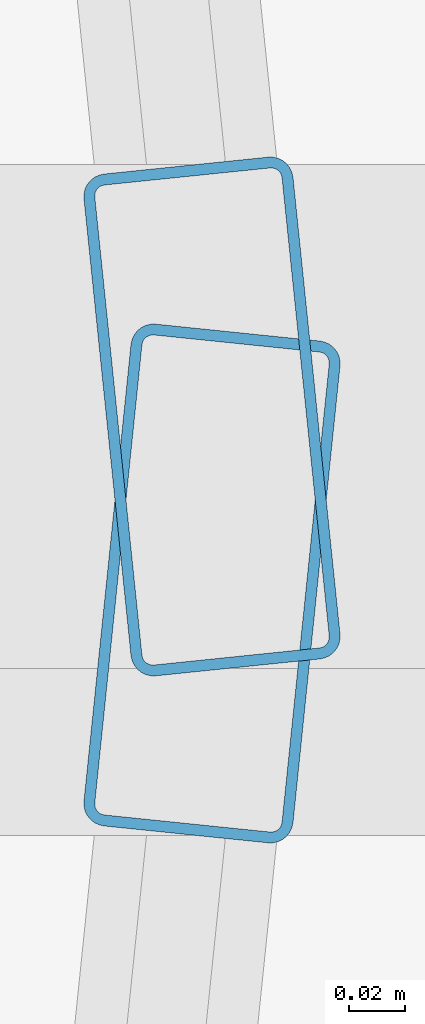
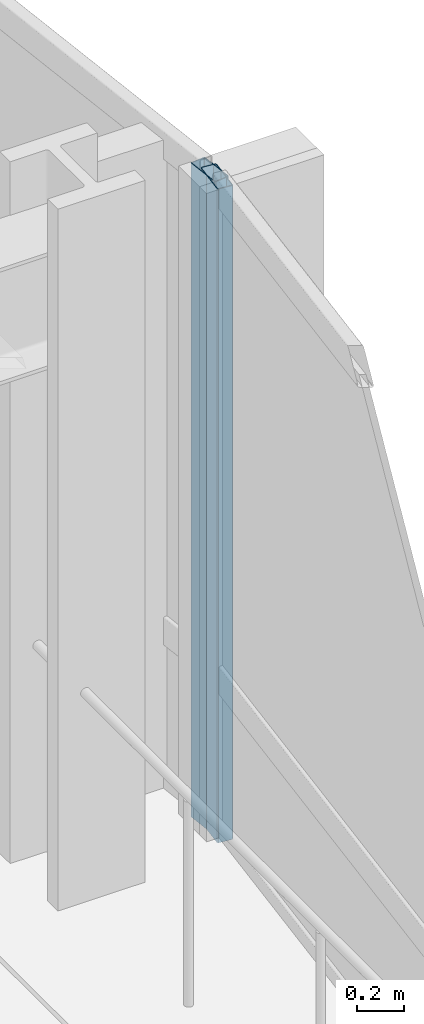
# One storey, part 25 of 34: 2 members, 2 elements without a shape of their own.
"""IFC4 building model written with IfcOpenShell, lengths in metres."""

from ifc_helpers import new_model, si_unit, direction, frame, origin, origin_2d, place, context, subcontext, project, spatial, hollow_rectangle, extrude, material, layer, layer_set, material_profile, profile_set, type_object, element, aggregate, save


model = new_model("IFC4")

# Units and contexts
model_context = context("Model", 3, precision=1e-05, world=origin(), true_north=direction((0.0, 1.0)))
body_context = subcontext(model_context, "Body", "Model", "MODEL_VIEW")
ifc_project = project(units=[si_unit("LENGTHUNIT", "METRE"), si_unit("AREAUNIT", "SQUARE_METRE"), si_unit("VOLUMEUNIT", "CUBIC_METRE"), si_unit("PLANEANGLEUNIT", "RADIAN"), si_unit("MASSUNIT", "GRAM", prefix="KILO")], contexts=[model_context])

# Site, building, storey
site_placement = place(None, origin())
site = spatial("IfcSite", under=ifc_project, at=site_placement, CompositionType="ELEMENT")
building_placement = place(site_placement, origin())
building = spatial("IfcBuilding", under=site, at=building_placement, Name="Solvaryn Broadcast Tower", CompositionType="ELEMENT")
storey_placement = place(building_placement, frame((0.0, 0.0, 65.60009765625)))
storey = spatial("IfcBuildingStorey", under=building, at=storey_placement, Name="L15", CompositionType="ELEMENT", Elevation=65.60009765625)

# Curtain wall, member
ifc_material_1 = material(Name="Aluminium and Terracotta Unitised Curtain Wall", Category="masonry")
ifc_layer = layer(ifc_material_1, 0.199951171875)
ifc_layer_set = layer_set([ifc_layer], Name="CW-SYS2-LOWMID")
curtain_wall_type = type_object("IfcCurtainWallType", Name="CW-SYS2-LOWMID", PredefinedType="NOTDEFINED", material=ifc_layer_set)
curtain_wall_1_placement = place(storey_placement, origin())
curtain_wall_1 = element("IfcCurtainWall", 1, at=curtain_wall_1_placement, inside=storey, type_object=curtain_wall_type, Name="L15 Curtain Wall ET1", PredefinedType="NOTDEFINED")
ifc_material_2 = material(Name="Anodised Aluminium 6063-T6", Category="aluminium")
ifc_material_profile = material_profile(ifc_material_2, hollow_rectangle(XDim=0.074951171875, YDim=0.179931640625, WallThickness=0.00390625, InnerFilletRadius=0.00390625, OuterFilletRadius=0.008056640625, at=origin_2d()))
ifc_profile_set = profile_set([ifc_material_profile], Name="Anodised Aluminium 6063-T6")
member_type = type_object("IfcMemberType", Name="CW-MUL-180", PredefinedType="MULLION", material=ifc_profile_set)
member_1_placement = place(storey_placement, frame((63.697021484375, 18.02978515625, 0.0), z_axis=(0.0, 0.0, 1.0), x_axis=(0.99474329889, 0.10240004548, 0.0)))
member_1 = element("IfcMember", 2, at=member_1_placement, type_object=member_type, Name="CWS2 mullion 2", PredefinedType="MULLION", context=body_context, shape_type="SweptSolid", body=[
    extrude(hollow_rectangle(XDim=0.074951171875, YDim=0.179931640625, WallThickness=0.00390625, InnerFilletRadius=0.00390625, OuterFilletRadius=0.008056640625, at=origin_2d()), origin(), (0.0, 0.0, 1.0), 3.419921875),
])
aggregate(curtain_wall_1, [member_1])

curtain_wall_2_placement = place(storey_placement, origin())
curtain_wall_2 = element("IfcCurtainWall", 3, at=curtain_wall_2_placement, inside=storey, type_object=curtain_wall_type, Name="L15 Curtain Wall ET2", PredefinedType="NOTDEFINED")
member_2_placement = place(storey_placement, frame((63.697021484375, 17.97021484375, 0.0), z_axis=(0.0, 0.0, 1.0), x_axis=(0.99474329889, -0.10240004548, 0.0)))
member_2 = element("IfcMember", 4, at=member_2_placement, type_object=member_type, Name="CWS2 mullion 1", PredefinedType="MULLION", context=body_context, shape_type="SweptSolid", body=[
    extrude(hollow_rectangle(XDim=0.074951171875, YDim=0.179931640625, WallThickness=0.00390625, InnerFilletRadius=0.00390625, OuterFilletRadius=0.008056640625, at=origin_2d()), origin(), (0.0, 0.0, 1.0), 3.419921875),
])
aggregate(curtain_wall_2, [member_2])

save(model, "model.ifc")
